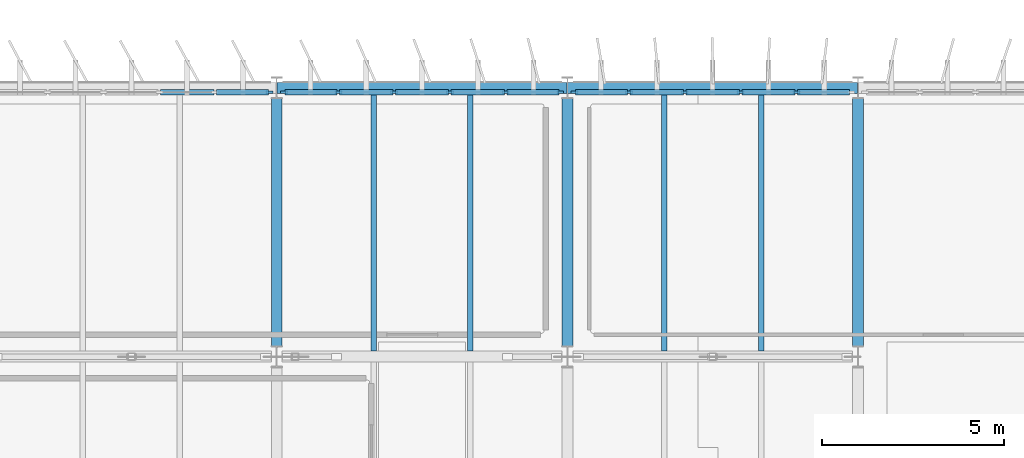
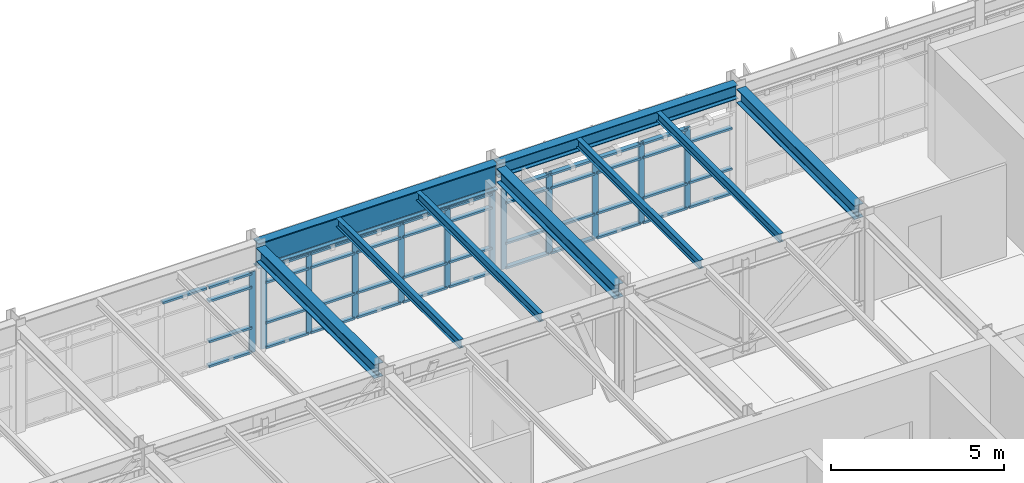
# One storey, part 16 of 56: 56 members, 9 beams, 3 elements without a shape of their own.
"""IFC4 building model written with IfcOpenShell, lengths in metres."""

from ifc_helpers import new_model, si_unit, direction, frame, origin, origin_2d, place, context, subcontext, project, spatial, rectangle, i_section, extrude, material, layer, layer_set, material_profile, profile_set, type_object, element, aggregate, save


model = new_model("IFC4")

# Units and contexts
model_context = context("Model", 3, precision=1e-05, world=origin(), true_north=direction((0.0, 1.0)))
body_context = subcontext(model_context, "Body", "Model", "MODEL_VIEW")
ifc_project = project(units=[si_unit("LENGTHUNIT", "METRE"), si_unit("AREAUNIT", "SQUARE_METRE"), si_unit("VOLUMEUNIT", "CUBIC_METRE"), si_unit("PLANEANGLEUNIT", "RADIAN"), si_unit("MASSUNIT", "GRAM", prefix="KILO")], contexts=[model_context])

# Site, building, storey
site_placement = place(None, origin())
site = spatial("IfcSite", under=ifc_project, at=site_placement, CompositionType="ELEMENT")
building_placement = place(site_placement, origin())
building = spatial("IfcBuilding", under=site, at=building_placement, Name="Valkorina Park Police Headquarters", CompositionType="ELEMENT")
storey_placement = place(building_placement, frame((0.0, 0.0, 14.10009765625)))
storey = spatial("IfcBuildingStorey", under=building, at=storey_placement, Name="L04", CompositionType="ELEMENT", Elevation=14.10009765625)

# Beams
ifc_material_1 = material(Name="Steel S355", Category="steel")
ifc_material_profile_1 = material_profile(ifc_material_1, i_section(OverallWidth=0.300048828125, OverallDepth=0.489990234375, WebThickness=0.011962890625, FlangeThickness=0.02294921875, FilletRadius=0.027099609375, at=origin_2d()), Name="HEA 500")
ifc_profile_set_1 = profile_set([ifc_material_profile_1], Name="Steel S355")
beam_type_1 = type_object("IfcBeamType", Name="BM-S355-HEA500-BM", PredefinedType="BEAM", material=ifc_profile_set_1)
for number, where, z_axis, x_axis, name in (
    (1, (16.800048828125, 52.10009765625, 3.510009765625), (0.0, 1.0, 0.0), (-1.0, 0.0, 0.0), "L04 Framing Beam 2313"),
    (2, (24.800048828125, 52.10009765625, 3.510009765625), (0.0, 1.0, 0.0), (-1.0, 0.0, 0.0), "L04 Framing Beam 2319"),
    (3, (32.800048828125, 52.10009765625, 3.510009765625), (0.0, 1.0, 0.0), (-1.0, 0.0, 0.0), "L04 Framing Beam 2324"),
):
    element("IfcBeam", number, at=place(storey_placement, frame(where, z_axis=z_axis, x_axis=x_axis)), inside=storey, type_object=beam_type_1, Name=name, PredefinedType="BEAM", context=body_context, shape_type="SweptSolid", body=[
        extrude(i_section(OverallWidth=0.300048828125, OverallDepth=0.489990234375, WebThickness=0.011962890625, FlangeThickness=0.02294921875, FilletRadius=0.027099609375, at=origin_2d()), origin(), (0.0, 0.0, 1.0), 6.7998046875),
    ])
ifc_material_profile_2 = material_profile(ifc_material_1, i_section(OverallWidth=0.300048828125, OverallDepth=0.489990234375, WebThickness=0.011962890625, FlangeThickness=0.02294921875, FilletRadius=0.027099609375, at=origin_2d()), Name="HEA 500")
ifc_profile_set_2 = profile_set([ifc_material_profile_2], Name="Steel S355")
beam_type_2 = type_object("IfcBeamType", Name="BM-S355-HEA500-SPN", PredefinedType="SPANDREL", material=ifc_profile_set_2)
beam_1_placement = place(storey_placement, frame((24.8076171875, 59.199951171875, 3.510009765625), z_axis=(1.0, 0.0, 0.0), x_axis=(0.0, 1.0, 0.0)))
element("IfcBeam", 4, at=beam_1_placement, inside=storey, type_object=beam_type_2, Name="L04 Framing Beam 2252", PredefinedType="SPANDREL", context=body_context, shape_type="SweptSolid", body=[
    extrude(i_section(OverallWidth=0.300048828125, OverallDepth=0.489990234375, WebThickness=0.011962890625, FlangeThickness=0.02294921875, FilletRadius=0.027099609375, at=origin_2d()), origin(), (0.0, 0.0, 1.0), 7.984619140625),
])
ifc_material_profile_3 = material_profile(ifc_material_1, i_section(OverallWidth=0.300048828125, OverallDepth=0.89990234375, WebThickness=0.0185546875, FlangeThickness=0.034912109375, FilletRadius=0.030029296875, at=origin_2d()), Name="HEB 900")
ifc_profile_set_3 = profile_set([ifc_material_profile_3], Name="Steel S355")
beam_type_3 = type_object("IfcBeamType", Name="BM-S355-HEB900-EXT", PredefinedType="SPANDREL", material=ifc_profile_set_3)
beam_2_placement = place(storey_placement, frame((16.8076171875, 59.199951171875, 3.304931640625), z_axis=(1.0, 0.0, 0.0), x_axis=(0.0, 1.0, 0.0)))
element("IfcBeam", 5, at=beam_2_placement, inside=storey, type_object=beam_type_3, Name="L04 Framing Beam 2251", PredefinedType="SPANDREL", context=body_context, shape_type="SweptSolid", body=[
    extrude(i_section(OverallWidth=0.300048828125, OverallDepth=0.89990234375, WebThickness=0.0185546875, FlangeThickness=0.034912109375, FilletRadius=0.030029296875, at=origin_2d()), origin(), (0.0, 0.0, 1.0), 7.984619140625),
])
ifc_material_profile_4 = material_profile(ifc_material_1, i_section(OverallWidth=0.14990234375, OverallDepth=0.300048828125, WebThickness=0.007080078125, FlangeThickness=0.0107421875, FilletRadius=0.014892578125, at=origin_2d()), Name="IPE 300")
ifc_profile_set_4 = profile_set([ifc_material_profile_4], Name="Steel S355")
beam_type_4 = type_object("IfcBeamType", Name="BM-S355-IPE300-JST", PredefinedType="JOIST", material=ifc_profile_set_4)
for number, where, z_axis, x_axis, name in (
    (6, (19.466796875, 51.949951171875, 3.60498046875), (0.0, 1.0, 0.0), (-1.0, 0.0, 0.0), "L04 Framing Beam 2314"),
    (7, (22.13330078125, 51.949951171875, 3.60498046875), (0.0, 1.0, 0.0), (-1.0, 0.0, 0.0), "L04 Framing Beam 2315"),
    (8, (27.466796875, 51.949951171875, 3.60498046875), (0.0, 1.0, 0.0), (-1.0, 0.0, 0.0), "L04 Framing Beam 2320"),
    (9, (30.13330078125, 51.949951171875, 3.60498046875), (0.0, 1.0, 0.0), (-1.0, 0.0, 0.0), "L04 Framing Beam 2321"),
):
    element("IfcBeam", number, at=place(storey_placement, frame(where, z_axis=z_axis, x_axis=x_axis)), inside=storey, type_object=beam_type_4, Name=name, PredefinedType="JOIST", context=body_context, shape_type="SweptSolid", body=[
        extrude(i_section(OverallWidth=0.14990234375, OverallDepth=0.300048828125, WebThickness=0.007080078125, FlangeThickness=0.0107421875, FilletRadius=0.014892578125, at=origin_2d()), origin(), (0.0, 0.0, 1.0), 7.10009765625),
    ])

# Curtain wall, member
ifc_material_2 = material(Name="Thermally broken aluminium AW-6060", Category="aluminium")
ifc_layer = layer(ifc_material_2, 0.18994140625)
ifc_layer_set = layer_set([ifc_layer], Name="Thermally broken aluminium AW-6060")
curtain_wall_type = type_object("IfcCurtainWallType", Name="CW-V5-7680x2840", PredefinedType="NOTDEFINED", material=ifc_layer_set)
curtain_wall_1_placement = place(storey_placement, origin())
curtain_wall_1 = element("IfcCurtainWall", 10, at=curtain_wall_1_placement, inside=storey, type_object=curtain_wall_type, Name="L04 Unitised Curtain Wall 031", PredefinedType="NOTDEFINED")
ifc_material_profile_5 = material_profile(ifc_material_2, rectangle(XDim=0.070068359375, YDim=0.18994140625, at=origin_2d()), Name="CWM-02 70x190")
ifc_profile_set_5 = profile_set([ifc_material_profile_5], Name="Thermally broken aluminium AW-6060")
member_type_1 = type_object("IfcMemberType", Name="CWM-70x190", PredefinedType="MULLION", material=ifc_profile_set_5)
member_1_placement = place(storey_placement, frame((16.60498046875, 59.080078125, 0.0), z_axis=(0.0, 0.0, 1.0), x_axis=(0.0, 1.0, 0.0)))
member_1 = element("IfcMember", 11, at=member_1_placement, type_object=member_type_1, Name="CW-V5-768-284 mullion 6", PredefinedType="MULLION", context=body_context, shape_type="SweptSolid", body=[
    extrude(rectangle(XDim=0.070068359375, YDim=0.18994140625, at=origin_2d()), origin(), (0.0, 0.0, 1.0), 2.844970703125),
])

# Curtain wall, members
curtain_wall_2_placement = place(storey_placement, origin())
curtain_wall_2 = element("IfcCurtainWall", 12, at=curtain_wall_2_placement, inside=storey, type_object=curtain_wall_type, Name="L04 Unitised Curtain Wall 032", PredefinedType="NOTDEFINED")
member_2_placement = place(storey_placement, frame((16.9951171875, 59.080078125, 0.0), z_axis=(0.0, 0.0, 1.0), x_axis=(0.0, 1.0, 0.0)))
member_2 = element("IfcMember", 13, at=member_2_placement, type_object=member_type_1, Name="CW-V5-768-284 mullion 1", PredefinedType="MULLION", context=body_context, shape_type="SweptSolid", body=[
    extrude(rectangle(XDim=0.070068359375, YDim=0.18994140625, at=origin_2d()), origin(), (0.0, 0.0, 1.0), 2.844970703125),
])
member_3_placement = place(storey_placement, frame((18.49609375, 59.080078125, 0.0), z_axis=(0.0, 0.0, 1.0), x_axis=(0.0, 1.0, 0.0)))
member_3 = element("IfcMember", 14, at=member_3_placement, type_object=member_type_1, Name="CW-V5-768-284 mullion 2", PredefinedType="MULLION", context=body_context, shape_type="SweptSolid", body=[
    extrude(rectangle(XDim=0.070068359375, YDim=0.18994140625, at=origin_2d()), origin(), (0.0, 0.0, 1.0), 2.844970703125),
])
member_4_placement = place(storey_placement, frame((20.031982421875, 59.080078125, 0.0), z_axis=(0.0, 0.0, 1.0), x_axis=(0.0, 1.0, 0.0)))
member_4 = element("IfcMember", 15, at=member_4_placement, type_object=member_type_1, Name="CW-V5-768-284 mullion 3", PredefinedType="MULLION", context=body_context, shape_type="SweptSolid", body=[
    extrude(rectangle(XDim=0.070068359375, YDim=0.18994140625, at=origin_2d()), origin(), (0.0, 0.0, 1.0), 2.844970703125),
])
member_5_placement = place(storey_placement, frame((21.568115234375, 59.080078125, 0.0), z_axis=(0.0, 0.0, 1.0), x_axis=(0.0, 1.0, 0.0)))
member_5 = element("IfcMember", 16, at=member_5_placement, type_object=member_type_1, Name="CW-V5-768-284 mullion 4", PredefinedType="MULLION", context=body_context, shape_type="SweptSolid", body=[
    extrude(rectangle(XDim=0.070068359375, YDim=0.18994140625, at=origin_2d()), origin(), (0.0, 0.0, 1.0), 2.844970703125),
])
member_6_placement = place(storey_placement, frame((23.10400390625, 59.080078125, 0.0), z_axis=(0.0, 0.0, 1.0), x_axis=(0.0, 1.0, 0.0)))
member_6 = element("IfcMember", 17, at=member_6_placement, type_object=member_type_1, Name="CW-V5-768-284 mullion 5", PredefinedType="MULLION", context=body_context, shape_type="SweptSolid", body=[
    extrude(rectangle(XDim=0.070068359375, YDim=0.18994140625, at=origin_2d()), origin(), (0.0, 0.0, 1.0), 2.844970703125),
])
member_7_placement = place(storey_placement, frame((24.60498046875, 59.080078125, 0.0), z_axis=(0.0, 0.0, 1.0), x_axis=(0.0, 1.0, 0.0)))
member_7 = element("IfcMember", 18, at=member_7_placement, type_object=member_type_1, Name="CW-V5-768-284 mullion 6", PredefinedType="MULLION", context=body_context, shape_type="SweptSolid", body=[
    extrude(rectangle(XDim=0.070068359375, YDim=0.18994140625, at=origin_2d()), origin(), (0.0, 0.0, 1.0), 2.844970703125),
])

curtain_wall_3_placement = place(storey_placement, origin())
curtain_wall_3 = element("IfcCurtainWall", 19, at=curtain_wall_3_placement, inside=storey, type_object=curtain_wall_type, Name="L04 Unitised Curtain Wall 033", PredefinedType="NOTDEFINED")
member_8_placement = place(storey_placement, frame((24.9951171875, 59.080078125, 0.0), z_axis=(0.0, 0.0, 1.0), x_axis=(0.0, 1.0, 0.0)))
member_8 = element("IfcMember", 20, at=member_8_placement, type_object=member_type_1, Name="CW-V5-768-284 mullion 1", PredefinedType="MULLION", context=body_context, shape_type="SweptSolid", body=[
    extrude(rectangle(XDim=0.070068359375, YDim=0.18994140625, at=origin_2d()), origin(), (0.0, 0.0, 1.0), 2.844970703125),
])
member_9_placement = place(storey_placement, frame((26.49609375, 59.080078125, 0.0), z_axis=(0.0, 0.0, 1.0), x_axis=(0.0, 1.0, 0.0)))
member_9 = element("IfcMember", 21, at=member_9_placement, type_object=member_type_1, Name="CW-V5-768-284 mullion 2", PredefinedType="MULLION", context=body_context, shape_type="SweptSolid", body=[
    extrude(rectangle(XDim=0.070068359375, YDim=0.18994140625, at=origin_2d()), origin(), (0.0, 0.0, 1.0), 2.844970703125),
])
member_10_placement = place(storey_placement, frame((28.031982421875, 59.080078125, 0.0), z_axis=(0.0, 0.0, 1.0), x_axis=(0.0, 1.0, 0.0)))
member_10 = element("IfcMember", 22, at=member_10_placement, type_object=member_type_1, Name="CW-V5-768-284 mullion 3", PredefinedType="MULLION", context=body_context, shape_type="SweptSolid", body=[
    extrude(rectangle(XDim=0.070068359375, YDim=0.18994140625, at=origin_2d()), origin(), (0.0, 0.0, 1.0), 2.844970703125),
])
member_11_placement = place(storey_placement, frame((29.568115234375, 59.080078125, 0.0), z_axis=(0.0, 0.0, 1.0), x_axis=(0.0, 1.0, 0.0)))
member_11 = element("IfcMember", 23, at=member_11_placement, type_object=member_type_1, Name="CW-V5-768-284 mullion 4", PredefinedType="MULLION", context=body_context, shape_type="SweptSolid", body=[
    extrude(rectangle(XDim=0.070068359375, YDim=0.18994140625, at=origin_2d()), origin(), (0.0, 0.0, 1.0), 2.844970703125),
])
member_12_placement = place(storey_placement, frame((31.10400390625, 59.080078125, 0.0), z_axis=(0.0, 0.0, 1.0), x_axis=(0.0, 1.0, 0.0)))
member_12 = element("IfcMember", 24, at=member_12_placement, type_object=member_type_1, Name="CW-V5-768-284 mullion 5", PredefinedType="MULLION", context=body_context, shape_type="SweptSolid", body=[
    extrude(rectangle(XDim=0.070068359375, YDim=0.18994140625, at=origin_2d()), origin(), (0.0, 0.0, 1.0), 2.844970703125),
])

# Member
ifc_material_profile_6 = material_profile(ifc_material_2, rectangle(XDim=0.14990234375, YDim=0.070068359375, at=origin_2d()), Name="CWT-02 150x70")
ifc_profile_set_6 = profile_set([ifc_material_profile_6], Name="Thermally broken aluminium AW-6060")
member_type_2 = type_object("IfcMemberType", Name="CWT-150x70", PredefinedType="USERDEFINED", material=ifc_profile_set_6)
member_13_placement = place(storey_placement, frame((13.60302734375, 59.080078125, 2.809814453125), z_axis=(1.0, 0.0, 0.0), x_axis=(0.0, 1.0, 0.0)))
member_13 = element("IfcMember", 25, at=member_13_placement, type_object=member_type_2, Name="CW-V5-768-284 transom 4.4", ObjectType="TRANSOM", PredefinedType="USERDEFINED", context=body_context, shape_type="SweptSolid", body=[
    extrude(rectangle(XDim=0.14990234375, YDim=0.070068359375, at=origin_2d()), origin(), (0.0, 0.0, 1.0), 1.466064453125),
])

member_14_placement = place(storey_placement, frame((15.138916015625, 59.080078125, 0.034912109375), z_axis=(1.0, 0.0, 0.0), x_axis=(0.0, 1.0, 0.0)))
member_14 = element("IfcMember", 26, at=member_14_placement, type_object=member_type_2, Name="CW-V5-768-284 transom 5.1", ObjectType="TRANSOM", PredefinedType="USERDEFINED", context=body_context, shape_type="SweptSolid", body=[
    extrude(rectangle(XDim=0.14990234375, YDim=0.070068359375, at=origin_2d()), origin(), (0.0, 0.0, 1.0), 1.43115234375),
])

member_15_placement = place(storey_placement, frame((15.138916015625, 59.080078125, 0.89990234375), z_axis=(1.0, 0.0, 0.0), x_axis=(0.0, 1.0, 0.0)))
member_15 = element("IfcMember", 27, at=member_15_placement, type_object=member_type_2, Name="CW-V5-768-284 transom 5.2", ObjectType="TRANSOM", PredefinedType="USERDEFINED", context=body_context, shape_type="SweptSolid", body=[
    extrude(rectangle(XDim=0.14990234375, YDim=0.070068359375, at=origin_2d()), origin(), (0.0, 0.0, 1.0), 1.43115234375),
])

member_16_placement = place(storey_placement, frame((15.138916015625, 59.080078125, 2.324951171875), z_axis=(1.0, 0.0, 0.0), x_axis=(0.0, 1.0, 0.0)))
member_16 = element("IfcMember", 28, at=member_16_placement, type_object=member_type_2, Name="CW-V5-768-284 transom 5.3", ObjectType="TRANSOM", PredefinedType="USERDEFINED", context=body_context, shape_type="SweptSolid", body=[
    extrude(rectangle(XDim=0.14990234375, YDim=0.070068359375, at=origin_2d()), origin(), (0.0, 0.0, 1.0), 1.43115234375),
])

member_17_placement = place(storey_placement, frame((15.138916015625, 59.080078125, 2.809814453125), z_axis=(1.0, 0.0, 0.0), x_axis=(0.0, 1.0, 0.0)))
member_17 = element("IfcMember", 29, at=member_17_placement, type_object=member_type_2, Name="CW-V5-768-284 transom 5.4", ObjectType="TRANSOM", PredefinedType="USERDEFINED", context=body_context, shape_type="SweptSolid", body=[
    extrude(rectangle(XDim=0.14990234375, YDim=0.070068359375, at=origin_2d()), origin(), (0.0, 0.0, 1.0), 1.43115234375),
])

aggregate(curtain_wall_1, [member_1, member_13, member_14, member_15, member_16, member_17])

member_18_placement = place(storey_placement, frame((17.030029296875, 59.080078125, 0.034912109375), z_axis=(1.0, 0.0, 0.0), x_axis=(0.0, 1.0, 0.0)))
member_18 = element("IfcMember", 30, at=member_18_placement, type_object=member_type_2, Name="CW-V5-768-284 transom 1.1", ObjectType="TRANSOM", PredefinedType="USERDEFINED", context=body_context, shape_type="SweptSolid", body=[
    extrude(rectangle(XDim=0.14990234375, YDim=0.070068359375, at=origin_2d()), origin(), (0.0, 0.0, 1.0), 1.430908203125),
])

member_19_placement = place(storey_placement, frame((17.030029296875, 59.080078125, 0.89990234375), z_axis=(1.0, 0.0, 0.0), x_axis=(0.0, 1.0, 0.0)))
member_19 = element("IfcMember", 31, at=member_19_placement, type_object=member_type_2, Name="CW-V5-768-284 transom 1.2", ObjectType="TRANSOM", PredefinedType="USERDEFINED", context=body_context, shape_type="SweptSolid", body=[
    extrude(rectangle(XDim=0.14990234375, YDim=0.070068359375, at=origin_2d()), origin(), (0.0, 0.0, 1.0), 1.430908203125),
])

member_20_placement = place(storey_placement, frame((17.030029296875, 59.080078125, 2.324951171875), z_axis=(1.0, 0.0, 0.0), x_axis=(0.0, 1.0, 0.0)))
member_20 = element("IfcMember", 32, at=member_20_placement, type_object=member_type_2, Name="CW-V5-768-284 transom 1.3", ObjectType="TRANSOM", PredefinedType="USERDEFINED", context=body_context, shape_type="SweptSolid", body=[
    extrude(rectangle(XDim=0.14990234375, YDim=0.070068359375, at=origin_2d()), origin(), (0.0, 0.0, 1.0), 1.430908203125),
])

member_21_placement = place(storey_placement, frame((17.030029296875, 59.080078125, 2.809814453125), z_axis=(1.0, 0.0, 0.0), x_axis=(0.0, 1.0, 0.0)))
member_21 = element("IfcMember", 33, at=member_21_placement, type_object=member_type_2, Name="CW-V5-768-284 transom 1.4", ObjectType="TRANSOM", PredefinedType="USERDEFINED", context=body_context, shape_type="SweptSolid", body=[
    extrude(rectangle(XDim=0.14990234375, YDim=0.070068359375, at=origin_2d()), origin(), (0.0, 0.0, 1.0), 1.430908203125),
])

member_22_placement = place(storey_placement, frame((18.531005859375, 59.080078125, 0.034912109375), z_axis=(1.0, 0.0, 0.0), x_axis=(0.0, 1.0, 0.0)))
member_22 = element("IfcMember", 34, at=member_22_placement, type_object=member_type_2, Name="CW-V5-768-284 transom 2.1", ObjectType="TRANSOM", PredefinedType="USERDEFINED", context=body_context, shape_type="SweptSolid", body=[
    extrude(rectangle(XDim=0.14990234375, YDim=0.070068359375, at=origin_2d()), origin(), (0.0, 0.0, 1.0), 1.466064453125),
])

member_23_placement = place(storey_placement, frame((18.531005859375, 59.080078125, 0.89990234375), z_axis=(1.0, 0.0, 0.0), x_axis=(0.0, 1.0, 0.0)))
member_23 = element("IfcMember", 35, at=member_23_placement, type_object=member_type_2, Name="CW-V5-768-284 transom 2.2", ObjectType="TRANSOM", PredefinedType="USERDEFINED", context=body_context, shape_type="SweptSolid", body=[
    extrude(rectangle(XDim=0.14990234375, YDim=0.070068359375, at=origin_2d()), origin(), (0.0, 0.0, 1.0), 1.466064453125),
])

member_24_placement = place(storey_placement, frame((18.531005859375, 59.080078125, 2.324951171875), z_axis=(1.0, 0.0, 0.0), x_axis=(0.0, 1.0, 0.0)))
member_24 = element("IfcMember", 36, at=member_24_placement, type_object=member_type_2, Name="CW-V5-768-284 transom 2.3", ObjectType="TRANSOM", PredefinedType="USERDEFINED", context=body_context, shape_type="SweptSolid", body=[
    extrude(rectangle(XDim=0.14990234375, YDim=0.070068359375, at=origin_2d()), origin(), (0.0, 0.0, 1.0), 1.466064453125),
])

member_25_placement = place(storey_placement, frame((18.531005859375, 59.080078125, 2.809814453125), z_axis=(1.0, 0.0, 0.0), x_axis=(0.0, 1.0, 0.0)))
member_25 = element("IfcMember", 37, at=member_25_placement, type_object=member_type_2, Name="CW-V5-768-284 transom 2.4", ObjectType="TRANSOM", PredefinedType="USERDEFINED", context=body_context, shape_type="SweptSolid", body=[
    extrude(rectangle(XDim=0.14990234375, YDim=0.070068359375, at=origin_2d()), origin(), (0.0, 0.0, 1.0), 1.466064453125),
])

member_26_placement = place(storey_placement, frame((20.06689453125, 59.080078125, 0.034912109375), z_axis=(1.0, 0.0, 0.0), x_axis=(0.0, 1.0, 0.0)))
member_26 = element("IfcMember", 38, at=member_26_placement, type_object=member_type_2, Name="CW-V5-768-284 transom 3.1", ObjectType="TRANSOM", PredefinedType="USERDEFINED", context=body_context, shape_type="SweptSolid", body=[
    extrude(rectangle(XDim=0.14990234375, YDim=0.070068359375, at=origin_2d()), origin(), (0.0, 0.0, 1.0), 1.466064453125),
])

member_27_placement = place(storey_placement, frame((20.06689453125, 59.080078125, 0.89990234375), z_axis=(1.0, 0.0, 0.0), x_axis=(0.0, 1.0, 0.0)))
member_27 = element("IfcMember", 39, at=member_27_placement, type_object=member_type_2, Name="CW-V5-768-284 transom 3.2", ObjectType="TRANSOM", PredefinedType="USERDEFINED", context=body_context, shape_type="SweptSolid", body=[
    extrude(rectangle(XDim=0.14990234375, YDim=0.070068359375, at=origin_2d()), origin(), (0.0, 0.0, 1.0), 1.466064453125),
])

member_28_placement = place(storey_placement, frame((20.06689453125, 59.080078125, 2.324951171875), z_axis=(1.0, 0.0, 0.0), x_axis=(0.0, 1.0, 0.0)))
member_28 = element("IfcMember", 40, at=member_28_placement, type_object=member_type_2, Name="CW-V5-768-284 transom 3.3", ObjectType="TRANSOM", PredefinedType="USERDEFINED", context=body_context, shape_type="SweptSolid", body=[
    extrude(rectangle(XDim=0.14990234375, YDim=0.070068359375, at=origin_2d()), origin(), (0.0, 0.0, 1.0), 1.466064453125),
])

member_29_placement = place(storey_placement, frame((20.06689453125, 59.080078125, 2.809814453125), z_axis=(1.0, 0.0, 0.0), x_axis=(0.0, 1.0, 0.0)))
member_29 = element("IfcMember", 41, at=member_29_placement, type_object=member_type_2, Name="CW-V5-768-284 transom 3.4", ObjectType="TRANSOM", PredefinedType="USERDEFINED", context=body_context, shape_type="SweptSolid", body=[
    extrude(rectangle(XDim=0.14990234375, YDim=0.070068359375, at=origin_2d()), origin(), (0.0, 0.0, 1.0), 1.466064453125),
])

member_30_placement = place(storey_placement, frame((21.60302734375, 59.080078125, 0.034912109375), z_axis=(1.0, 0.0, 0.0), x_axis=(0.0, 1.0, 0.0)))
member_30 = element("IfcMember", 42, at=member_30_placement, type_object=member_type_2, Name="CW-V5-768-284 transom 4.1", ObjectType="TRANSOM", PredefinedType="USERDEFINED", context=body_context, shape_type="SweptSolid", body=[
    extrude(rectangle(XDim=0.14990234375, YDim=0.070068359375, at=origin_2d()), origin(), (0.0, 0.0, 1.0), 1.466064453125),
])

member_31_placement = place(storey_placement, frame((21.60302734375, 59.080078125, 0.89990234375), z_axis=(1.0, 0.0, 0.0), x_axis=(0.0, 1.0, 0.0)))
member_31 = element("IfcMember", 43, at=member_31_placement, type_object=member_type_2, Name="CW-V5-768-284 transom 4.2", ObjectType="TRANSOM", PredefinedType="USERDEFINED", context=body_context, shape_type="SweptSolid", body=[
    extrude(rectangle(XDim=0.14990234375, YDim=0.070068359375, at=origin_2d()), origin(), (0.0, 0.0, 1.0), 1.466064453125),
])

member_32_placement = place(storey_placement, frame((21.60302734375, 59.080078125, 2.324951171875), z_axis=(1.0, 0.0, 0.0), x_axis=(0.0, 1.0, 0.0)))
member_32 = element("IfcMember", 44, at=member_32_placement, type_object=member_type_2, Name="CW-V5-768-284 transom 4.3", ObjectType="TRANSOM", PredefinedType="USERDEFINED", context=body_context, shape_type="SweptSolid", body=[
    extrude(rectangle(XDim=0.14990234375, YDim=0.070068359375, at=origin_2d()), origin(), (0.0, 0.0, 1.0), 1.466064453125),
])

member_33_placement = place(storey_placement, frame((21.60302734375, 59.080078125, 2.809814453125), z_axis=(1.0, 0.0, 0.0), x_axis=(0.0, 1.0, 0.0)))
member_33 = element("IfcMember", 45, at=member_33_placement, type_object=member_type_2, Name="CW-V5-768-284 transom 4.4", ObjectType="TRANSOM", PredefinedType="USERDEFINED", context=body_context, shape_type="SweptSolid", body=[
    extrude(rectangle(XDim=0.14990234375, YDim=0.070068359375, at=origin_2d()), origin(), (0.0, 0.0, 1.0), 1.466064453125),
])

member_34_placement = place(storey_placement, frame((23.138916015625, 59.080078125, 0.034912109375), z_axis=(1.0, 0.0, 0.0), x_axis=(0.0, 1.0, 0.0)))
member_34 = element("IfcMember", 46, at=member_34_placement, type_object=member_type_2, Name="CW-V5-768-284 transom 5.1", ObjectType="TRANSOM", PredefinedType="USERDEFINED", context=body_context, shape_type="SweptSolid", body=[
    extrude(rectangle(XDim=0.14990234375, YDim=0.070068359375, at=origin_2d()), origin(), (0.0, 0.0, 1.0), 1.43115234375),
])

member_35_placement = place(storey_placement, frame((23.138916015625, 59.080078125, 0.89990234375), z_axis=(1.0, 0.0, 0.0), x_axis=(0.0, 1.0, 0.0)))
member_35 = element("IfcMember", 47, at=member_35_placement, type_object=member_type_2, Name="CW-V5-768-284 transom 5.2", ObjectType="TRANSOM", PredefinedType="USERDEFINED", context=body_context, shape_type="SweptSolid", body=[
    extrude(rectangle(XDim=0.14990234375, YDim=0.070068359375, at=origin_2d()), origin(), (0.0, 0.0, 1.0), 1.43115234375),
])

member_36_placement = place(storey_placement, frame((23.138916015625, 59.080078125, 2.324951171875), z_axis=(1.0, 0.0, 0.0), x_axis=(0.0, 1.0, 0.0)))
member_36 = element("IfcMember", 48, at=member_36_placement, type_object=member_type_2, Name="CW-V5-768-284 transom 5.3", ObjectType="TRANSOM", PredefinedType="USERDEFINED", context=body_context, shape_type="SweptSolid", body=[
    extrude(rectangle(XDim=0.14990234375, YDim=0.070068359375, at=origin_2d()), origin(), (0.0, 0.0, 1.0), 1.43115234375),
])

member_37_placement = place(storey_placement, frame((23.138916015625, 59.080078125, 2.809814453125), z_axis=(1.0, 0.0, 0.0), x_axis=(0.0, 1.0, 0.0)))
member_37 = element("IfcMember", 49, at=member_37_placement, type_object=member_type_2, Name="CW-V5-768-284 transom 5.4", ObjectType="TRANSOM", PredefinedType="USERDEFINED", context=body_context, shape_type="SweptSolid", body=[
    extrude(rectangle(XDim=0.14990234375, YDim=0.070068359375, at=origin_2d()), origin(), (0.0, 0.0, 1.0), 1.43115234375),
])

aggregate(curtain_wall_2, [member_2, member_3, member_4, member_5, member_6, member_7, member_18, member_19, member_20, member_21, member_22, member_23, member_24, member_25, member_26, member_27, member_28, member_29, member_30, member_31, member_32, member_33, member_34, member_35, member_36, member_37])

member_38_placement = place(storey_placement, frame((25.030029296875, 59.080078125, 0.034912109375), z_axis=(1.0, 0.0, 0.0), x_axis=(0.0, 1.0, 0.0)))
member_38 = element("IfcMember", 50, at=member_38_placement, type_object=member_type_2, Name="CW-V5-768-284 transom 1.1", ObjectType="TRANSOM", PredefinedType="USERDEFINED", context=body_context, shape_type="SweptSolid", body=[
    extrude(rectangle(XDim=0.14990234375, YDim=0.070068359375, at=origin_2d()), origin(), (0.0, 0.0, 1.0), 1.430908203125),
])

member_39_placement = place(storey_placement, frame((25.030029296875, 59.080078125, 0.89990234375), z_axis=(1.0, 0.0, 0.0), x_axis=(0.0, 1.0, 0.0)))
member_39 = element("IfcMember", 51, at=member_39_placement, type_object=member_type_2, Name="CW-V5-768-284 transom 1.2", ObjectType="TRANSOM", PredefinedType="USERDEFINED", context=body_context, shape_type="SweptSolid", body=[
    extrude(rectangle(XDim=0.14990234375, YDim=0.070068359375, at=origin_2d()), origin(), (0.0, 0.0, 1.0), 1.430908203125),
])

member_40_placement = place(storey_placement, frame((25.030029296875, 59.080078125, 2.324951171875), z_axis=(1.0, 0.0, 0.0), x_axis=(0.0, 1.0, 0.0)))
member_40 = element("IfcMember", 52, at=member_40_placement, type_object=member_type_2, Name="CW-V5-768-284 transom 1.3", ObjectType="TRANSOM", PredefinedType="USERDEFINED", context=body_context, shape_type="SweptSolid", body=[
    extrude(rectangle(XDim=0.14990234375, YDim=0.070068359375, at=origin_2d()), origin(), (0.0, 0.0, 1.0), 1.430908203125),
])

member_41_placement = place(storey_placement, frame((25.030029296875, 59.080078125, 2.809814453125), z_axis=(1.0, 0.0, 0.0), x_axis=(0.0, 1.0, 0.0)))
member_41 = element("IfcMember", 53, at=member_41_placement, type_object=member_type_2, Name="CW-V5-768-284 transom 1.4", ObjectType="TRANSOM", PredefinedType="USERDEFINED", context=body_context, shape_type="SweptSolid", body=[
    extrude(rectangle(XDim=0.14990234375, YDim=0.070068359375, at=origin_2d()), origin(), (0.0, 0.0, 1.0), 1.430908203125),
])

member_42_placement = place(storey_placement, frame((26.531005859375, 59.080078125, 0.034912109375), z_axis=(1.0, 0.0, 0.0), x_axis=(0.0, 1.0, 0.0)))
member_42 = element("IfcMember", 54, at=member_42_placement, type_object=member_type_2, Name="CW-V5-768-284 transom 2.1", ObjectType="TRANSOM", PredefinedType="USERDEFINED", context=body_context, shape_type="SweptSolid", body=[
    extrude(rectangle(XDim=0.14990234375, YDim=0.070068359375, at=origin_2d()), origin(), (0.0, 0.0, 1.0), 1.466064453125),
])

member_43_placement = place(storey_placement, frame((26.531005859375, 59.080078125, 0.89990234375), z_axis=(1.0, 0.0, 0.0), x_axis=(0.0, 1.0, 0.0)))
member_43 = element("IfcMember", 55, at=member_43_placement, type_object=member_type_2, Name="CW-V5-768-284 transom 2.2", ObjectType="TRANSOM", PredefinedType="USERDEFINED", context=body_context, shape_type="SweptSolid", body=[
    extrude(rectangle(XDim=0.14990234375, YDim=0.070068359375, at=origin_2d()), origin(), (0.0, 0.0, 1.0), 1.466064453125),
])

member_44_placement = place(storey_placement, frame((26.531005859375, 59.080078125, 2.324951171875), z_axis=(1.0, 0.0, 0.0), x_axis=(0.0, 1.0, 0.0)))
member_44 = element("IfcMember", 56, at=member_44_placement, type_object=member_type_2, Name="CW-V5-768-284 transom 2.3", ObjectType="TRANSOM", PredefinedType="USERDEFINED", context=body_context, shape_type="SweptSolid", body=[
    extrude(rectangle(XDim=0.14990234375, YDim=0.070068359375, at=origin_2d()), origin(), (0.0, 0.0, 1.0), 1.466064453125),
])

member_45_placement = place(storey_placement, frame((26.531005859375, 59.080078125, 2.809814453125), z_axis=(1.0, 0.0, 0.0), x_axis=(0.0, 1.0, 0.0)))
member_45 = element("IfcMember", 57, at=member_45_placement, type_object=member_type_2, Name="CW-V5-768-284 transom 2.4", ObjectType="TRANSOM", PredefinedType="USERDEFINED", context=body_context, shape_type="SweptSolid", body=[
    extrude(rectangle(XDim=0.14990234375, YDim=0.070068359375, at=origin_2d()), origin(), (0.0, 0.0, 1.0), 1.466064453125),
])

member_46_placement = place(storey_placement, frame((28.06689453125, 59.080078125, 0.034912109375), z_axis=(1.0, 0.0, 0.0), x_axis=(0.0, 1.0, 0.0)))
member_46 = element("IfcMember", 58, at=member_46_placement, type_object=member_type_2, Name="CW-V5-768-284 transom 3.1", ObjectType="TRANSOM", PredefinedType="USERDEFINED", context=body_context, shape_type="SweptSolid", body=[
    extrude(rectangle(XDim=0.14990234375, YDim=0.070068359375, at=origin_2d()), origin(), (0.0, 0.0, 1.0), 1.466064453125),
])

member_47_placement = place(storey_placement, frame((28.06689453125, 59.080078125, 0.89990234375), z_axis=(1.0, 0.0, 0.0), x_axis=(0.0, 1.0, 0.0)))
member_47 = element("IfcMember", 59, at=member_47_placement, type_object=member_type_2, Name="CW-V5-768-284 transom 3.2", ObjectType="TRANSOM", PredefinedType="USERDEFINED", context=body_context, shape_type="SweptSolid", body=[
    extrude(rectangle(XDim=0.14990234375, YDim=0.070068359375, at=origin_2d()), origin(), (0.0, 0.0, 1.0), 1.466064453125),
])

member_48_placement = place(storey_placement, frame((28.06689453125, 59.080078125, 2.324951171875), z_axis=(1.0, 0.0, 0.0), x_axis=(0.0, 1.0, 0.0)))
member_48 = element("IfcMember", 60, at=member_48_placement, type_object=member_type_2, Name="CW-V5-768-284 transom 3.3", ObjectType="TRANSOM", PredefinedType="USERDEFINED", context=body_context, shape_type="SweptSolid", body=[
    extrude(rectangle(XDim=0.14990234375, YDim=0.070068359375, at=origin_2d()), origin(), (0.0, 0.0, 1.0), 1.466064453125),
])

member_49_placement = place(storey_placement, frame((28.06689453125, 59.080078125, 2.809814453125), z_axis=(1.0, 0.0, 0.0), x_axis=(0.0, 1.0, 0.0)))
member_49 = element("IfcMember", 61, at=member_49_placement, type_object=member_type_2, Name="CW-V5-768-284 transom 3.4", ObjectType="TRANSOM", PredefinedType="USERDEFINED", context=body_context, shape_type="SweptSolid", body=[
    extrude(rectangle(XDim=0.14990234375, YDim=0.070068359375, at=origin_2d()), origin(), (0.0, 0.0, 1.0), 1.466064453125),
])

member_50_placement = place(storey_placement, frame((29.60302734375, 59.080078125, 0.034912109375), z_axis=(1.0, 0.0, 0.0), x_axis=(0.0, 1.0, 0.0)))
member_50 = element("IfcMember", 62, at=member_50_placement, type_object=member_type_2, Name="CW-V5-768-284 transom 4.1", ObjectType="TRANSOM", PredefinedType="USERDEFINED", context=body_context, shape_type="SweptSolid", body=[
    extrude(rectangle(XDim=0.14990234375, YDim=0.070068359375, at=origin_2d()), origin(), (0.0, 0.0, 1.0), 1.466064453125),
])

member_51_placement = place(storey_placement, frame((29.60302734375, 59.080078125, 0.89990234375), z_axis=(1.0, 0.0, 0.0), x_axis=(0.0, 1.0, 0.0)))
member_51 = element("IfcMember", 63, at=member_51_placement, type_object=member_type_2, Name="CW-V5-768-284 transom 4.2", ObjectType="TRANSOM", PredefinedType="USERDEFINED", context=body_context, shape_type="SweptSolid", body=[
    extrude(rectangle(XDim=0.14990234375, YDim=0.070068359375, at=origin_2d()), origin(), (0.0, 0.0, 1.0), 1.466064453125),
])

member_52_placement = place(storey_placement, frame((29.60302734375, 59.080078125, 2.324951171875), z_axis=(1.0, 0.0, 0.0), x_axis=(0.0, 1.0, 0.0)))
member_52 = element("IfcMember", 64, at=member_52_placement, type_object=member_type_2, Name="CW-V5-768-284 transom 4.3", ObjectType="TRANSOM", PredefinedType="USERDEFINED", context=body_context, shape_type="SweptSolid", body=[
    extrude(rectangle(XDim=0.14990234375, YDim=0.070068359375, at=origin_2d()), origin(), (0.0, 0.0, 1.0), 1.466064453125),
])

member_53_placement = place(storey_placement, frame((29.60302734375, 59.080078125, 2.809814453125), z_axis=(1.0, 0.0, 0.0), x_axis=(0.0, 1.0, 0.0)))
member_53 = element("IfcMember", 65, at=member_53_placement, type_object=member_type_2, Name="CW-V5-768-284 transom 4.4", ObjectType="TRANSOM", PredefinedType="USERDEFINED", context=body_context, shape_type="SweptSolid", body=[
    extrude(rectangle(XDim=0.14990234375, YDim=0.070068359375, at=origin_2d()), origin(), (0.0, 0.0, 1.0), 1.466064453125),
])

member_54_placement = place(storey_placement, frame((31.138916015625, 59.080078125, 0.034912109375), z_axis=(1.0, 0.0, 0.0), x_axis=(0.0, 1.0, 0.0)))
member_54 = element("IfcMember", 66, at=member_54_placement, type_object=member_type_2, Name="CW-V5-768-284 transom 5.1", ObjectType="TRANSOM", PredefinedType="USERDEFINED", context=body_context, shape_type="SweptSolid", body=[
    extrude(rectangle(XDim=0.14990234375, YDim=0.070068359375, at=origin_2d()), origin(), (0.0, 0.0, 1.0), 1.43115234375),
])

member_55_placement = place(storey_placement, frame((31.138916015625, 59.080078125, 0.89990234375), z_axis=(1.0, 0.0, 0.0), x_axis=(0.0, 1.0, 0.0)))
member_55 = element("IfcMember", 67, at=member_55_placement, type_object=member_type_2, Name="CW-V5-768-284 transom 5.2", ObjectType="TRANSOM", PredefinedType="USERDEFINED", context=body_context, shape_type="SweptSolid", body=[
    extrude(rectangle(XDim=0.14990234375, YDim=0.070068359375, at=origin_2d()), origin(), (0.0, 0.0, 1.0), 1.43115234375),
])

member_56_placement = place(storey_placement, frame((31.138916015625, 59.080078125, 2.324951171875), z_axis=(1.0, 0.0, 0.0), x_axis=(0.0, 1.0, 0.0)))
member_56 = element("IfcMember", 68, at=member_56_placement, type_object=member_type_2, Name="CW-V5-768-284 transom 5.3", ObjectType="TRANSOM", PredefinedType="USERDEFINED", context=body_context, shape_type="SweptSolid", body=[
    extrude(rectangle(XDim=0.14990234375, YDim=0.070068359375, at=origin_2d()), origin(), (0.0, 0.0, 1.0), 1.43115234375),
])

aggregate(curtain_wall_3, [member_8, member_9, member_10, member_11, member_12, member_38, member_39, member_40, member_41, member_42, member_43, member_44, member_45, member_46, member_47, member_48, member_49, member_50, member_51, member_52, member_53, member_54, member_55, member_56])

save(model, "model.ifc")
